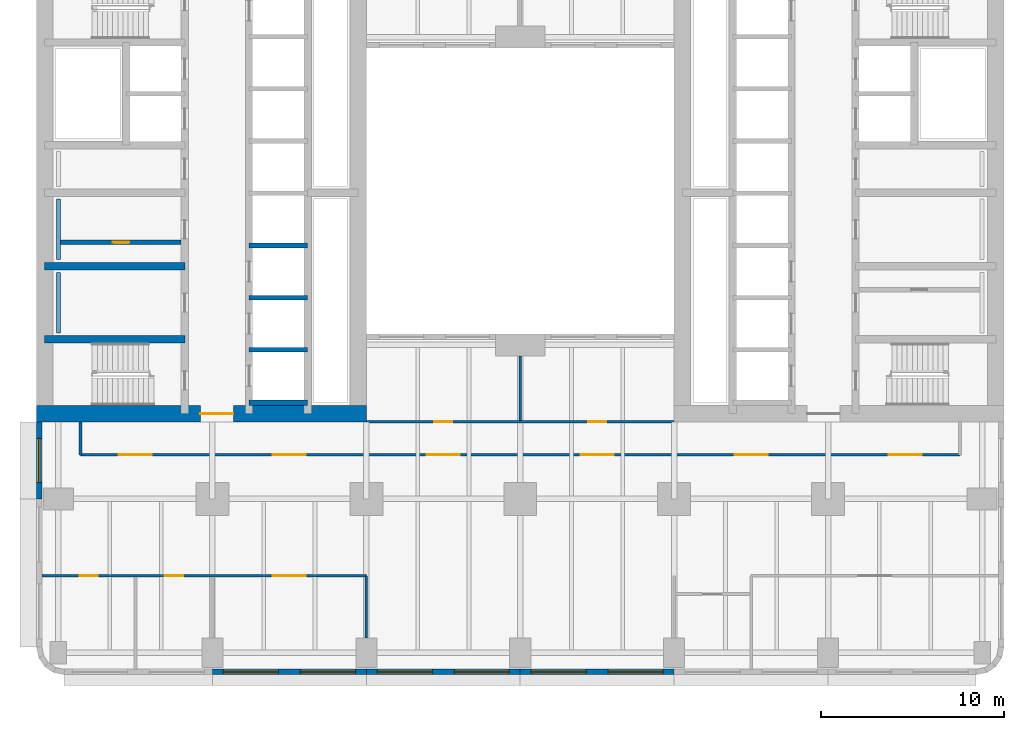
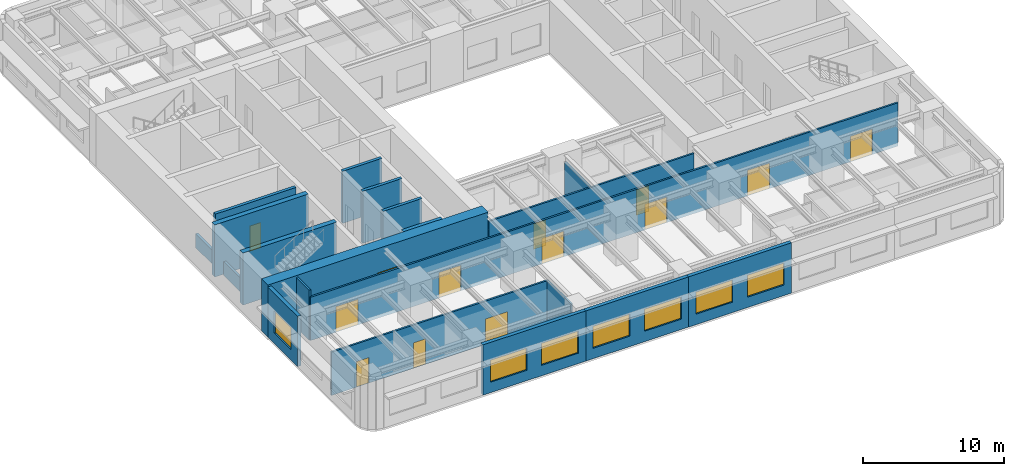
# One storey, part 3 of 14: 20 walls, 13 doors, 7 windows, 20 openings.
"""IFC4 building model written with IfcOpenShell, lengths in metres."""

import ifcopenshell
import ifcopenshell.guid

model = None  # the IFC model being written
_history = None  # IfcOwnerHistory: only IFC2X3 demands one
_inside = {}  # id of a spatial element -> (the spatial element, [elements in it])
_under = {}  # id of a project, library or spatial element -> (it, [spatial elements below it])
_declared = {}  # id of a project -> (the project, [libraries it declares])
_typed = {}  # id of a type object -> (the type object, [elements of that type])
_made_of = {}  # id of a material, layer set ... -> (it, [elements and type objects made of it])


def new_model(schema):
    """Start an empty IFC model of exactly this schema.

    Asked for "IFC4X3", IfcOpenShell would pick the latest addendum, in which some entities
    have other attributes; the version numbers below select the first issue.
    IFC2X3 requires an IfcOwnerHistory on every rooted entity: one is made here for all.
    """
    global model, _history
    if schema == "IFC4X3":
        model = ifcopenshell.file(schema_version=(4, 3, 0, 0))
    else:
        model = ifcopenshell.file(schema=schema)
    _inside.clear()
    _under.clear()
    _declared.clear()
    _typed.clear()
    _made_of.clear()
    _history = None
    if model.schema == "IFC2X3":
        org = make("IfcOrganization", Name="unknown")
        user = make(
            "IfcPersonAndOrganization",
            ThePerson=make("IfcPerson", FamilyName="unknown"),
            TheOrganization=org,
        )
        app = make(
            "IfcApplication",
            ApplicationDeveloper=org,
            Version="unknown",
            ApplicationFullName="unknown",
            ApplicationIdentifier="unknown",
        )
        _history = make(
            "IfcOwnerHistory",
            OwningUser=user,
            OwningApplication=app,
            ChangeAction="ADDED",
            CreationDate=0,
        )
    return model


def make(cls, **values):
    """One entity of the class cls with the attributes given. An attribute that is None is left unset."""
    return model.create_entity(
        cls, **{name: value for name, value in values.items() if value is not None}
    )


def rooted(cls, **values):
    """An entity with a GlobalId (a new one), such as an element, a storey or a relation."""
    return make(cls, GlobalId=ifcopenshell.guid.new(), OwnerHistory=_history, **values)


def si_unit(unit_type, name, prefix=None):
    """IfcSIUnit, for example si_unit("LENGTHUNIT", "METRE", prefix="MILLI")."""
    return make("IfcSIUnit", UnitType=unit_type, Prefix=prefix, Name=name)


def assignment(units):
    """IfcUnitAssignment: the units of a project."""
    return None if units is None else make("IfcUnitAssignment", Units=units)


def point(xyz):
    """IfcCartesianPoint."""
    return None if xyz is None else make("IfcCartesianPoint", Coordinates=xyz)


def direction(xyz):
    """IfcDirection."""
    return None if xyz is None else make("IfcDirection", DirectionRatios=xyz)


def frame(location, z_axis=None, x_axis=None):
    """IfcAxis2Placement3D, a coordinate frame: its origin and axes. An axis left out is left unset."""
    return make(
        "IfcAxis2Placement3D",
        Location=point(location),
        Axis=direction(z_axis),
        RefDirection=direction(x_axis),
    )


def frame_2d(location, x_axis=None):
    """IfcAxis2Placement2D, a coordinate frame in the plane: its origin and x axis."""
    return make(
        "IfcAxis2Placement2D", Location=point(location), RefDirection=direction(x_axis)
    )


def origin():
    """The frame at (0, 0, 0) with its axes left unset."""
    return frame((0.0, 0.0, 0.0))


def place(relative_to, where):
    """IfcLocalPlacement: puts the frame where relative to a parent placement (None: the world)."""
    return make(
        "IfcLocalPlacement", PlacementRelTo=relative_to, RelativePlacement=where
    )


def context(
    kind, dimensions, precision=None, world=None, true_north=None, identifier=None
):
    """IfcGeometricRepresentationContext, for example the 3D "Model" context."""
    return make(
        "IfcGeometricRepresentationContext",
        ContextIdentifier=identifier,
        ContextType=kind,
        CoordinateSpaceDimension=dimensions,
        Precision=precision,
        WorldCoordinateSystem=world,
        TrueNorth=true_north,
    )


def subcontext(parent, identifier, kind, view, scale=None):
    """IfcGeometricRepresentationSubContext, for example "Body" below "Model"."""
    return make(
        "IfcGeometricRepresentationSubContext",
        ContextIdentifier=identifier,
        ContextType=kind,
        ParentContext=parent,
        TargetScale=scale,
        TargetView=view,
    )


def project(units=None, contexts=None):
    """IfcProject with its units and contexts."""
    return rooted(
        "IfcProject",
        Name="project",
        RepresentationContexts=contexts,
        UnitsInContext=assignment(units),
    )


def spatial(cls, under=None, at=None, **own):
    """A site, building, storey or space (cls), placed at a placement, below another one or the project."""
    s = rooted(cls, ObjectPlacement=at, **own)
    if under is not None:
        _under.setdefault(under.id(), (under, []))[1].append(s)
    return s


def profile(cls, at=None, kind="AREA", **sizes):
    """A parametric profile (cls). Its sizes go by their IFC names, for example OverallWidth=200.0."""
    return make(cls, ProfileType=kind, Position=at, **sizes)


def rectangle(**sizes):
    """IfcRectangleProfileDef."""
    return profile("IfcRectangleProfileDef", **sizes)


def extrude(swept, where, along, depth):
    """IfcExtrudedAreaSolid: the profile swept, set in the frame where, extruded along a direction by depth."""
    return make(
        "IfcExtrudedAreaSolid",
        SweptArea=swept,
        Position=where,
        ExtrudedDirection=direction(along),
        Depth=depth,
    )


def shape(context_of_items, identifier, shape_type, items):
    """IfcShapeRepresentation: the items that make up one representation, for example the "Body"."""
    return make(
        "IfcShapeRepresentation",
        ContextOfItems=context_of_items,
        RepresentationIdentifier=identifier,
        RepresentationType=shape_type,
        Items=items,
    )


def material(Name=None, Category=None):
    """IfcMaterial."""
    return make("IfcMaterial", Name=Name, Category=Category)


def layer(
    of_material, thickness, ventilated=None, Name=None, Category=None, Priority=None
):
    """IfcMaterialLayer: one layer of a wall or slab, of a material (None: an air gap)."""
    return make(
        "IfcMaterialLayer",
        Material=of_material,
        LayerThickness=thickness,
        IsVentilated=ventilated,
        Name=Name,
        Category=Category,
        Priority=Priority,
    )


def layer_set(layers, Name=None):
    """IfcMaterialLayerSet."""
    return make("IfcMaterialLayerSet", MaterialLayers=layers, LayerSetName=Name)


def made_of(thing, what):
    """Note that an element or type object is made of a material, layer set ...; save() writes the relation."""
    if what is not None:
        _made_of.setdefault(what.id(), (what, []))[1].append(thing)
    return thing


def type_object(cls, material=None, **own):
    """A type object (cls), such as IfcWallType, which elements share."""
    return made_of(rooted(cls, **own), material)


def element(
    cls,
    number,
    at=None,
    inside=None,
    cuts=None,
    type_object=None,
    material=None,
    context=None,
    identifier="Body",
    shape_type=None,
    held_by="IfcProductDefinitionShape",
    body=None,
    shapes=None,
    **own,
):
    """One element of the class cls, such as IfcWall. Its Tag is "e" and its number.

    at: its placement. inside: the storey or other place that contains it. cuts: it is an
    opening in that element (IfcRelVoidsElement). A single representation is given by context,
    identifier, shape_type and body (its items); several are given by shapes. held_by: the class
    of the entity that holds the representations. save() writes the other relations.
    """
    e = rooted(cls, Tag="e%d" % number, ObjectPlacement=at, **own)
    if body is not None:
        shapes = [shape(context, identifier, shape_type, body)]
    if shapes is not None:
        e.Representation = make(held_by, Representations=shapes)
    if inside is not None:
        _inside.setdefault(inside.id(), (inside, []))[1].append(e)
    if cuts is not None:
        rooted(
            "IfcRelVoidsElement", RelatingBuildingElement=cuts, RelatedOpeningElement=e
        )
    if type_object is not None:
        _typed.setdefault(type_object.id(), (type_object, []))[1].append(e)
    return made_of(e, material)


def fill(opening, filler):
    """IfcRelFillsElement: the door or window that sits in an opening."""
    return rooted(
        "IfcRelFillsElement",
        RelatingOpeningElement=opening,
        RelatedBuildingElement=filler,
    )


def aggregate(whole, parts):
    """IfcRelAggregates: a whole, such as a stair, and the parts it consists of."""
    return rooted("IfcRelAggregates", RelatingObject=whole, RelatedObjects=parts)


def save(model, path):
    """Write the relations noted so far, then the file.

    IfcRelAggregates (storeys below a building ...), IfcRelContainedInSpatialStructure (elements
    in a storey), IfcRelDefinesByType, IfcRelAssociatesMaterial and IfcRelDeclares: one each for
    every whole, place, type object, material and project.
    """
    for whole, parts in _under.values():
        aggregate(whole, parts)
    for where, things in _inside.values():
        rooted(
            "IfcRelContainedInSpatialStructure",
            RelatedElements=things,
            RelatingStructure=where,
        )
    for kind, things in _typed.values():
        rooted("IfcRelDefinesByType", RelatedObjects=things, RelatingType=kind)
    for what, things in _made_of.values():
        rooted("IfcRelAssociatesMaterial", RelatedObjects=things, RelatingMaterial=what)
    for by, libraries in _declared.values():
        rooted("IfcRelDeclares", RelatingContext=by, RelatedDefinitions=libraries)
    model.write(path)


model = new_model("IFC4")

# Units and contexts
model_context = context("Model", 3, precision=1e-05, world=origin(), true_north=direction((0.0, 1.0)))
body_context = subcontext(model_context, "Body", "Model", "MODEL_VIEW")
ifc_project = project(units=[si_unit("LENGTHUNIT", "METRE"), si_unit("AREAUNIT", "SQUARE_METRE"), si_unit("VOLUMEUNIT", "CUBIC_METRE"), si_unit("PLANEANGLEUNIT", "RADIAN"), si_unit("MASSUNIT", "GRAM", prefix="KILO")], contexts=[model_context])

# Site, building, storey
site_placement = place(None, origin())
site = spatial("IfcSite", under=ifc_project, at=site_placement, CompositionType="ELEMENT")
building_placement = place(site_placement, origin())
building = spatial("IfcBuilding", under=site, at=building_placement, Name="Claustro Exchange Tower", CompositionType="ELEMENT")
storey_placement = place(building_placement, frame((0.0, 0.0, 23.39990234375)))
storey = spatial("IfcBuildingStorey", under=building, at=storey_placement, Name="L05", CompositionType="ELEMENT", Elevation=23.39990234375)

# Wall, openings, doors
ifc_material_1 = material(Name="Gypsum board on steel studs", Category="steel")
ifc_layer_1 = layer(ifc_material_1, 0.14990234375)
ifc_layer_set_1 = layer_set([ifc_layer_1], Name="Gypsum board on steel studs")
wall_type_1 = type_object("IfcWallType", Name="P1 150 plasterboard partition", PredefinedType="PARTITIONING", material=ifc_layer_set_1)
wall_1_placement = place(storey_placement, frame((-0.902099609375, 4.199951171875, 0.0), z_axis=(0.0, 0.0, 1.0), x_axis=(1.0, 0.0, 0.0)))
wall_1 = element("IfcWall", 1, at=wall_1_placement, inside=storey, type_object=wall_type_1, Name="Partition P1 L05", PredefinedType="PARTITIONING", context=body_context, shape_type="SweptSolid", body=[
    extrude(rectangle(XDim=17.7021484375, YDim=0.14990234375, at=frame_2d((8.85107421875, 0.0))), origin(), (0.0, 0.0, 1.0), 3.739990234375),
])
opening_1_placement = place(wall_1_placement, frame((2.052001953125, 0.0, 0.0)))
opening_1 = element("IfcOpeningElement", 2, at=opening_1_placement, cuts=wall_1, Name="Opening D1", PredefinedType="OPENING", context=body_context, shape_type="SweptSolid", body=[
    extrude(rectangle(XDim=1.0, YDim=2.199951171875, at=frame_2d((0.5, 1.10009765625))), frame((0.0, 0.0849609375, 0.0), z_axis=(0.0, -1.0, 0.0), x_axis=(1.0, 0.0, 0.0)), (0.0, 0.0, 1.0), 0.169921875),
])
opening_2_placement = place(wall_1_placement, frame((6.701904296875, 0.0, 0.0)))
opening_2 = element("IfcOpeningElement", 3, at=opening_2_placement, cuts=wall_1, Name="Opening D1", PredefinedType="OPENING", context=body_context, shape_type="SweptSolid", body=[
    extrude(rectangle(XDim=1.0, YDim=2.199951171875, at=frame_2d((0.5, 1.10009765625))), frame((0.0, 0.0849609375, 0.0), z_axis=(0.0, -1.0, 0.0), x_axis=(1.0, 0.0, 0.0)), (0.0, 0.0, 1.0), 0.169921875),
])
opening_3_placement = place(wall_1_placement, frame((12.60205078125, 0.0, 0.0)))
opening_3 = element("IfcOpeningElement", 4, at=opening_3_placement, cuts=wall_1, Name="Opening D2", PredefinedType="OPENING", context=body_context, shape_type="SweptSolid", body=[
    extrude(rectangle(XDim=1.800048828125, YDim=2.199951171875, at=frame_2d((0.89990234375, 1.10009765625))), frame((0.0, 0.0849609375, 0.0), z_axis=(0.0, -1.0, 0.0), x_axis=(1.0, 0.0, 0.0)), (0.0, 0.0, 1.0), 0.169921875),
])
ifc_material_2 = material(Name="Timber door, oak veneer", Category="wood")
door_type_1 = type_object("IfcDoorType", Name="D1 1000 x 2200 single door", OperationType="SINGLE_SWING_LEFT", PredefinedType="DOOR", material=ifc_material_2)
door_1_placement = place(opening_1_placement, frame((1.0, 0.0, 0.0), z_axis=(0.0, 0.0, 1.0), x_axis=(-1.0, 0.0, 0.0)))
door_1 = element("IfcDoor", 5, at=door_1_placement, inside=storey, type_object=door_type_1, Name="Door D1 L05", OperationType="SINGLE_SWING_LEFT", OverallHeight=2.199951171875, OverallWidth=1.0, PredefinedType="DOOR", context=body_context, shape_type="SweptSolid", body=[
    extrude(rectangle(XDim=1.0, YDim=2.199951171875, at=frame_2d((0.5, 1.10009765625))), frame((0.0, 0.02490234375, 0.0), z_axis=(0.0, -1.0, 0.0), x_axis=(1.0, 0.0, 0.0)), (0.0, 0.0, 1.0), 0.050048828125),
])
fill(opening_1, door_1)
door_2_placement = place(opening_2_placement, frame((1.0, 0.0, 0.0), z_axis=(0.0, 0.0, 1.0), x_axis=(-1.0, 0.0, 0.0)))
door_2 = element("IfcDoor", 6, at=door_2_placement, inside=storey, type_object=door_type_1, Name="Door D1 L05", OperationType="SINGLE_SWING_RIGHT", OverallHeight=2.199951171875, OverallWidth=1.0, PredefinedType="DOOR", context=body_context, shape_type="SweptSolid", body=[
    extrude(rectangle(XDim=1.0, YDim=2.199951171875, at=frame_2d((0.5, 1.10009765625))), frame((0.0, 0.02490234375, 0.0), z_axis=(0.0, -1.0, 0.0), x_axis=(1.0, 0.0, 0.0)), (0.0, 0.0, 1.0), 0.050048828125),
])
fill(opening_2, door_2)
ifc_material_3 = material(Name="Timber door, oak veneer", Category="wood")
door_type_2 = type_object("IfcDoorType", Name="D2 1800 x 2200 double door", OperationType="DOUBLE_DOOR_SINGLE_SWING", PredefinedType="DOOR", material=ifc_material_3)
door_3_placement = place(opening_3_placement, frame((1.800048828125, 0.0, 0.0), z_axis=(0.0, 0.0, 1.0), x_axis=(-1.0, 0.0, 0.0)))
door_3 = element("IfcDoor", 7, at=door_3_placement, inside=storey, type_object=door_type_2, Name="Double door D2 L05", OperationType="DOUBLE_DOOR_SINGLE_SWING", OverallHeight=2.199951171875, OverallWidth=1.800048828125, PredefinedType="DOOR", context=body_context, shape_type="SweptSolid", body=[
    extrude(rectangle(XDim=1.800048828125, YDim=2.199951171875, at=frame_2d((0.89990234375, 1.10009765625))), frame((0.0, 0.02490234375, 0.0), z_axis=(0.0, -1.0, 0.0), x_axis=(1.0, 0.0, 0.0)), (0.0, 0.0, 1.0), 0.050048828125),
])
fill(opening_3, door_3)

# Wall
wall_2_placement = place(storey_placement, frame((16.800048828125, 0.799072265625, 0.0), z_axis=(0.0, 0.0, 1.0), x_axis=(0.0, 1.0, 0.0)))
element("IfcWall", 8, at=wall_2_placement, inside=storey, type_object=wall_type_1, Name="Partition P1 L05", PredefinedType="PARTITIONING", context=body_context, shape_type="SweptSolid", body=[
    extrude(rectangle(XDim=3.40087890625, YDim=0.14990234375, at=frame_2d((1.700439453125, 0.0))), origin(), (0.0, 0.0, 1.0), 3.739990234375),
])

# Wall, openings, doors
wall_3_placement = place(storey_placement, frame((1.199951171875, 10.800048828125, 0.0), z_axis=(0.0, 0.0, 1.0), x_axis=(1.0, 0.0, 0.0)))
wall_3 = element("IfcWall", 9, at=wall_3_placement, inside=storey, type_object=wall_type_1, Name="Partition P1 L05", PredefinedType="PARTITIONING", context=body_context, shape_type="SweptSolid", body=[
    extrude(rectangle(XDim=48.0, YDim=0.14990234375, at=frame_2d((24.0, 0.0))), origin(), (0.0, 0.0, 1.0), 3.739990234375),
])
opening_4_placement = place(wall_3_placement, frame((2.10009765625, 0.0, 0.0)))
opening_4 = element("IfcOpeningElement", 10, at=opening_4_placement, cuts=wall_3, Name="Opening D2", PredefinedType="OPENING", context=body_context, shape_type="SweptSolid", body=[
    extrude(rectangle(XDim=1.800048828125, YDim=2.199951171875, at=frame_2d((0.89990234375, 1.10009765625))), frame((0.0, 0.0849609375, 0.0), z_axis=(0.0, -1.0, 0.0), x_axis=(1.0, 0.0, 0.0)), (0.0, 0.0, 1.0), 0.169921875),
])
opening_5_placement = place(wall_3_placement, frame((10.5, 0.0, 0.0)))
opening_5 = element("IfcOpeningElement", 11, at=opening_5_placement, cuts=wall_3, Name="Opening D2", PredefinedType="OPENING", context=body_context, shape_type="SweptSolid", body=[
    extrude(rectangle(XDim=1.800048828125, YDim=2.199951171875, at=frame_2d((0.89990234375, 1.10009765625))), frame((0.0, 0.0849609375, 0.0), z_axis=(0.0, -1.0, 0.0), x_axis=(1.0, 0.0, 0.0)), (0.0, 0.0, 1.0), 0.169921875),
])
opening_6_placement = place(wall_3_placement, frame((18.89990234375, 0.0, 0.0)))
opening_6 = element("IfcOpeningElement", 12, at=opening_6_placement, cuts=wall_3, Name="Opening D2", PredefinedType="OPENING", context=body_context, shape_type="SweptSolid", body=[
    extrude(rectangle(XDim=1.800048828125, YDim=2.199951171875, at=frame_2d((0.89990234375, 1.10009765625))), frame((0.0, 0.0849609375, 0.0), z_axis=(0.0, -1.0, 0.0), x_axis=(1.0, 0.0, 0.0)), (0.0, 0.0, 1.0), 0.169921875),
])
opening_7_placement = place(wall_3_placement, frame((27.300048828125, 0.0, 0.0)))
opening_7 = element("IfcOpeningElement", 13, at=opening_7_placement, cuts=wall_3, Name="Opening D2", PredefinedType="OPENING", context=body_context, shape_type="SweptSolid", body=[
    extrude(rectangle(XDim=1.800048828125, YDim=2.199951171875, at=frame_2d((0.89990234375, 1.10009765625))), frame((0.0, 0.0849609375, 0.0), z_axis=(0.0, -1.0, 0.0), x_axis=(1.0, 0.0, 0.0)), (0.0, 0.0, 1.0), 0.169921875),
])
opening_8_placement = place(wall_3_placement, frame((35.699951171875, 0.0, 0.0)))
opening_8 = element("IfcOpeningElement", 14, at=opening_8_placement, cuts=wall_3, Name="Opening D2", PredefinedType="OPENING", context=body_context, shape_type="SweptSolid", body=[
    extrude(rectangle(XDim=1.800048828125, YDim=2.199951171875, at=frame_2d((0.89990234375, 1.10009765625))), frame((0.0, 0.0849609375, 0.0), z_axis=(0.0, -1.0, 0.0), x_axis=(1.0, 0.0, 0.0)), (0.0, 0.0, 1.0), 0.169921875),
])
opening_9_placement = place(wall_3_placement, frame((44.10009765625, 0.0, 0.0)))
opening_9 = element("IfcOpeningElement", 15, at=opening_9_placement, cuts=wall_3, Name="Opening D2", PredefinedType="OPENING", context=body_context, shape_type="SweptSolid", body=[
    extrude(rectangle(XDim=1.800048828125, YDim=2.199951171875, at=frame_2d((0.89990234375, 1.10009765625))), frame((0.0, 0.0849609375, 0.0), z_axis=(0.0, -1.0, 0.0), x_axis=(1.0, 0.0, 0.0)), (0.0, 0.0, 1.0), 0.169921875),
])
door_4_placement = place(opening_4_placement, frame((1.800048828125, 0.0, 0.0), z_axis=(0.0, 0.0, 1.0), x_axis=(-1.0, 0.0, 0.0)))
door_4 = element("IfcDoor", 16, at=door_4_placement, inside=storey, type_object=door_type_2, Name="Double door D2 L05", OperationType="DOUBLE_DOOR_SINGLE_SWING", OverallHeight=2.199951171875, OverallWidth=1.800048828125, PredefinedType="DOOR", context=body_context, shape_type="SweptSolid", body=[
    extrude(rectangle(XDim=1.800048828125, YDim=2.199951171875, at=frame_2d((0.89990234375, 1.10009765625))), frame((0.0, 0.02490234375, 0.0), z_axis=(0.0, -1.0, 0.0), x_axis=(1.0, 0.0, 0.0)), (0.0, 0.0, 1.0), 0.050048828125),
])
fill(opening_4, door_4)
door_5_placement = place(opening_5_placement, frame((1.800048828125, 0.0, 0.0), z_axis=(0.0, 0.0, 1.0), x_axis=(-1.0, 0.0, 0.0)))
door_5 = element("IfcDoor", 17, at=door_5_placement, inside=storey, type_object=door_type_2, Name="Double door D2 L05", OperationType="DOUBLE_DOOR_SINGLE_SWING", OverallHeight=2.199951171875, OverallWidth=1.800048828125, PredefinedType="DOOR", context=body_context, shape_type="SweptSolid", body=[
    extrude(rectangle(XDim=1.800048828125, YDim=2.199951171875, at=frame_2d((0.89990234375, 1.10009765625))), frame((0.0, 0.02490234375, 0.0), z_axis=(0.0, -1.0, 0.0), x_axis=(1.0, 0.0, 0.0)), (0.0, 0.0, 1.0), 0.050048828125),
])
fill(opening_5, door_5)
door_6_placement = place(opening_6_placement, frame((1.800048828125, 0.0, 0.0), z_axis=(0.0, 0.0, 1.0), x_axis=(-1.0, 0.0, 0.0)))
door_6 = element("IfcDoor", 18, at=door_6_placement, inside=storey, type_object=door_type_2, Name="Double door D2 L05", OperationType="DOUBLE_DOOR_SINGLE_SWING", OverallHeight=2.199951171875, OverallWidth=1.800048828125, PredefinedType="DOOR", context=body_context, shape_type="SweptSolid", body=[
    extrude(rectangle(XDim=1.800048828125, YDim=2.199951171875, at=frame_2d((0.89990234375, 1.10009765625))), frame((0.0, 0.02490234375, 0.0), z_axis=(0.0, -1.0, 0.0), x_axis=(1.0, 0.0, 0.0)), (0.0, 0.0, 1.0), 0.050048828125),
])
fill(opening_6, door_6)
door_7_placement = place(opening_7_placement, frame((1.800048828125, 0.0, 0.0), z_axis=(0.0, 0.0, 1.0), x_axis=(-1.0, 0.0, 0.0)))
door_7 = element("IfcDoor", 19, at=door_7_placement, inside=storey, type_object=door_type_2, Name="Double door D2 L05", OperationType="DOUBLE_DOOR_SINGLE_SWING", OverallHeight=2.199951171875, OverallWidth=1.800048828125, PredefinedType="DOOR", context=body_context, shape_type="SweptSolid", body=[
    extrude(rectangle(XDim=1.800048828125, YDim=2.199951171875, at=frame_2d((0.89990234375, 1.10009765625))), frame((0.0, 0.02490234375, 0.0), z_axis=(0.0, -1.0, 0.0), x_axis=(1.0, 0.0, 0.0)), (0.0, 0.0, 1.0), 0.050048828125),
])
fill(opening_7, door_7)
door_8_placement = place(opening_8_placement, frame((1.800048828125, 0.0, 0.0), z_axis=(0.0, 0.0, 1.0), x_axis=(-1.0, 0.0, 0.0)))
door_8 = element("IfcDoor", 20, at=door_8_placement, inside=storey, type_object=door_type_2, Name="Double door D2 L05", OperationType="DOUBLE_DOOR_SINGLE_SWING", OverallHeight=2.199951171875, OverallWidth=1.800048828125, PredefinedType="DOOR", context=body_context, shape_type="SweptSolid", body=[
    extrude(rectangle(XDim=1.800048828125, YDim=2.199951171875, at=frame_2d((0.89990234375, 1.10009765625))), frame((0.0, 0.02490234375, 0.0), z_axis=(0.0, -1.0, 0.0), x_axis=(1.0, 0.0, 0.0)), (0.0, 0.0, 1.0), 0.050048828125),
])
fill(opening_8, door_8)
door_9_placement = place(opening_9_placement, frame((1.800048828125, 0.0, 0.0), z_axis=(0.0, 0.0, 1.0), x_axis=(-1.0, 0.0, 0.0)))
door_9 = element("IfcDoor", 21, at=door_9_placement, inside=storey, type_object=door_type_2, Name="Double door D2 L05", OperationType="DOUBLE_DOOR_SINGLE_SWING", OverallHeight=2.199951171875, OverallWidth=1.800048828125, PredefinedType="DOOR", context=body_context, shape_type="SweptSolid", body=[
    extrude(rectangle(XDim=1.800048828125, YDim=2.199951171875, at=frame_2d((0.89990234375, 1.10009765625))), frame((0.0, 0.02490234375, 0.0), z_axis=(0.0, -1.0, 0.0), x_axis=(1.0, 0.0, 0.0)), (0.0, 0.0, 1.0), 0.050048828125),
])
fill(opening_9, door_9)

# Walls
wall_4_placement = place(storey_placement, frame((1.199951171875, 10.800048828125, 0.0), z_axis=(0.0, 0.0, 1.0), x_axis=(0.0, 1.0, 0.0)))
element("IfcWall", 22, at=wall_4_placement, inside=storey, type_object=wall_type_1, Name="Partition P1 L05", PredefinedType="PARTITIONING", context=body_context, shape_type="SweptSolid", body=[
    extrude(rectangle(XDim=1.802001953125, YDim=0.14990234375, at=frame_2d((0.90087890625, 0.0))), origin(), (0.0, 0.0, 1.0), 4.340087890625),
])
wall_5_placement = place(storey_placement, frame((25.199951171875, 12.674072265625, 0.0), z_axis=(0.0, 0.0, 1.0), x_axis=(0.0, 1.0, 0.0)))
element("IfcWall", 23, at=wall_5_placement, inside=storey, type_object=wall_type_1, Name="Partition P1 L05", PredefinedType="PARTITIONING", context=body_context, shape_type="SweptSolid", body=[
    extrude(rectangle(XDim=3.52685546875, YDim=0.14990234375, at=frame_2d((1.763427734375, 0.0))), origin(), (0.0, 0.0, 1.0), 3.739990234375),
])

# Wall, openings, doors
wall_6_placement = place(storey_placement, frame((16.820068359375, 12.60009765625, 0.0), z_axis=(0.0, 0.0, 1.0), x_axis=(1.0, 0.0, 0.0)))
wall_6 = element("IfcWall", 24, at=wall_6_placement, inside=storey, type_object=wall_type_1, Name="Partition P1 L05", PredefinedType="PARTITIONING", context=body_context, shape_type="SweptSolid", body=[
    extrude(rectangle(XDim=16.760009765625, YDim=0.14990234375, at=frame_2d((8.3798828125, 0.0))), origin(), (0.0, 0.0, 1.0), 3.739990234375),
])
opening_10_placement = place(wall_6_placement, frame((3.679931640625, 0.0, 0.0)))
opening_10 = element("IfcOpeningElement", 25, at=opening_10_placement, cuts=wall_6, Name="Opening D1", PredefinedType="OPENING", context=body_context, shape_type="SweptSolid", body=[
    extrude(rectangle(XDim=1.0, YDim=2.199951171875, at=frame_2d((0.5, 1.10009765625))), frame((0.0, 0.0849609375, 0.0), z_axis=(0.0, -1.0, 0.0), x_axis=(1.0, 0.0, 0.0)), (0.0, 0.0, 1.0), 0.169921875),
])
opening_11_placement = place(wall_6_placement, frame((12.080078125, 0.0, 0.0)))
opening_11 = element("IfcOpeningElement", 26, at=opening_11_placement, cuts=wall_6, Name="Opening D1", PredefinedType="OPENING", context=body_context, shape_type="SweptSolid", body=[
    extrude(rectangle(XDim=1.0, YDim=2.199951171875, at=frame_2d((0.5, 1.10009765625))), frame((0.0, 0.0849609375, 0.0), z_axis=(0.0, -1.0, 0.0), x_axis=(1.0, 0.0, 0.0)), (0.0, 0.0, 1.0), 0.169921875),
])
door_10_placement = place(opening_10_placement, origin())
door_10 = element("IfcDoor", 27, at=door_10_placement, inside=storey, type_object=door_type_1, Name="Door D1 L05", OperationType="SINGLE_SWING_RIGHT", OverallHeight=2.199951171875, OverallWidth=1.0, PredefinedType="DOOR", context=body_context, shape_type="SweptSolid", body=[
    extrude(rectangle(XDim=1.0, YDim=2.199951171875, at=frame_2d((0.5, 1.10009765625))), frame((0.0, 0.02490234375, 0.0), z_axis=(0.0, -1.0, 0.0), x_axis=(1.0, 0.0, 0.0)), (0.0, 0.0, 1.0), 0.050048828125),
])
fill(opening_10, door_10)
door_11_placement = place(opening_11_placement, origin())
door_11 = element("IfcDoor", 28, at=door_11_placement, inside=storey, type_object=door_type_1, Name="Door D1 L05", OperationType="SINGLE_SWING_LEFT", OverallHeight=2.199951171875, OverallWidth=1.0, PredefinedType="DOOR", context=body_context, shape_type="SweptSolid", body=[
    extrude(rectangle(XDim=1.0, YDim=2.199951171875, at=frame_2d((0.5, 1.10009765625))), frame((0.0, 0.02490234375, 0.0), z_axis=(0.0, -1.0, 0.0), x_axis=(1.0, 0.0, 0.0)), (0.0, 0.0, 1.0), 0.050048828125),
])
fill(opening_11, door_11)

# Wall, opening, door
ifc_material_4 = material(Name="Concrete blockwork, rendered", Category="masonry")
ifc_layer_2 = layer(ifc_material_4, 0.25)
ifc_layer_set_2 = layer_set([ifc_layer_2], Name="Concrete blockwork, rendered")
wall_type_2 = type_object("IfcWallType", Name="P4 250 blockwork wall", PredefinedType="PARTITIONING", material=ifc_layer_set_2)
wall_7_placement = place(storey_placement, frame((0.10009765625, 22.39990234375, 0.0), z_axis=(0.0, 0.0, 1.0), x_axis=(1.0, 0.0, 0.0)))
wall_7 = element("IfcWall", 29, at=wall_7_placement, inside=storey, type_object=wall_type_2, Name="Partition P4 L05", PredefinedType="PARTITIONING", context=body_context, shape_type="SweptSolid", body=[
    extrude(rectangle(XDim=6.599853515625, YDim=0.25, at=frame_2d((3.2998046875, 0.0))), origin(), (0.0, 0.0, 1.0), 4.300048828125),
])
opening_12_placement = place(wall_7_placement, frame((2.875, 0.0, 0.0)))
opening_12 = element("IfcOpeningElement", 30, at=opening_12_placement, cuts=wall_7, Name="Opening D5", PredefinedType="OPENING", context=body_context, shape_type="SweptSolid", body=[
    extrude(rectangle(XDim=0.89990234375, YDim=2.199951171875, at=frame_2d((0.449951171875, 1.10009765625))), frame((0.0, 0.135009765625, 0.0), z_axis=(0.0, -1.0, 0.0), x_axis=(1.0, 0.0, 0.0)), (0.0, 0.0, 1.0), 0.27001953125),
])
ifc_material_5 = material(Name="Steel door, painted", Category="steel")
door_type_3 = type_object("IfcDoorType", Name="D5 900 x 2200 store door", OperationType="SINGLE_SWING_LEFT", PredefinedType="DOOR", material=ifc_material_5)
door_12_placement = place(opening_12_placement, frame((0.89990234375, 0.0, 0.0), z_axis=(0.0, 0.0, 1.0), x_axis=(-1.0, 0.0, 0.0)))
door_12 = element("IfcDoor", 31, at=door_12_placement, inside=storey, type_object=door_type_3, Name="Store door D5 L05", OperationType="SINGLE_SWING_RIGHT", OverallHeight=2.199951171875, OverallWidth=0.89990234375, PredefinedType="DOOR", context=body_context, shape_type="SweptSolid", body=[
    extrude(rectangle(XDim=0.89990234375, YDim=2.199951171875, at=frame_2d((0.449951171875, 1.10009765625))), frame((0.0, 0.02490234375, 0.0), z_axis=(0.0, -1.0, 0.0), x_axis=(1.0, 0.0, 0.0)), (0.0, 0.0, 1.0), 0.050048828125),
])
fill(opening_12, door_12)

# Wall, openings, windows
ifc_material_6 = material(Name="Concrete HA-40 (C40/50), precast, white cement, acid-etched", Category="concrete")
ifc_layer_3 = layer(ifc_material_6, 0.300048828125)
ifc_layer_set_3 = layer_set([ifc_layer_3], Name="Concrete HA-40 (C40/50), precast, white cement, acid-etched")
wall_type_3 = type_object("IfcWallType", Name="PC1 300 precast concrete pier panel", PredefinedType="SOLIDWALL", material=ifc_layer_set_3)
wall_8_placement = place(storey_placement, frame((33.60009765625, -1.050048828125, 0.0), z_axis=(0.0, 0.0, 1.0), x_axis=(-1.0, 0.0, 0.0)))
wall_8 = element("IfcWall", 32, at=wall_8_placement, inside=storey, type_object=wall_type_3, Name="Precast pier panel PC1 L05", PredefinedType="SOLIDWALL", context=body_context, shape_type="SweptSolid", body=[
    extrude(rectangle(XDim=8.400146484375, YDim=0.300048828125, at=frame_2d((4.2001953125, 0.0))), origin(), (0.0, 0.0, 1.0), 4.340087890625),
])
opening_13_placement = place(wall_8_placement, frame((0.60009765625, 0.0, 0.89990234375)))
opening_13 = element("IfcOpeningElement", 33, at=opening_13_placement, cuts=wall_8, Name="Opening W1", PredefinedType="OPENING", context=body_context, shape_type="SweptSolid", body=[
    extrude(rectangle(XDim=3.0, YDim=1.89990234375, at=frame_2d((1.5, 0.949951171875))), frame((0.0, 0.159912109375, 0.0), z_axis=(0.0, -1.0, 0.0), x_axis=(1.0, 0.0, 0.0)), (0.0, 0.0, 1.0), 0.320068359375),
])
opening_14_placement = place(wall_8_placement, frame((4.800048828125, 0.0, 0.89990234375)))
opening_14 = element("IfcOpeningElement", 34, at=opening_14_placement, cuts=wall_8, Name="Opening W1", PredefinedType="OPENING", context=body_context, shape_type="SweptSolid", body=[
    extrude(rectangle(XDim=3.0, YDim=1.89990234375, at=frame_2d((1.5, 0.949951171875))), frame((0.0, 0.159912109375, 0.0), z_axis=(0.0, -1.0, 0.0), x_axis=(1.0, 0.0, 0.0)), (0.0, 0.0, 1.0), 0.320068359375),
])
ifc_material_7 = material(Name="Aluminium frame, clear double glazing", Category="aluminium")
window_type_1 = type_object("IfcWindowType", Name="W1 3000 x 1900 window", PartitioningType="SINGLE_PANEL", PredefinedType="WINDOW", material=ifc_material_7)
window_1_placement = place(opening_13_placement, origin())
window_1 = element("IfcWindow", 35, at=window_1_placement, inside=storey, type_object=window_type_1, Name="Window W1 L05", OverallHeight=1.89990234375, OverallWidth=3.0, PartitioningType="SINGLE_PANEL", PredefinedType="WINDOW", context=body_context, shape_type="SweptSolid", body=[
    extrude(rectangle(XDim=3.0, YDim=1.89990234375, at=frame_2d((1.5, 0.949951171875))), frame((0.0, 0.030029296875, 0.0), z_axis=(0.0, -1.0, 0.0), x_axis=(1.0, 0.0, 0.0)), (0.0, 0.0, 1.0), 0.06005859375),
])
fill(opening_13, window_1)
window_2_placement = place(opening_14_placement, origin())
window_2 = element("IfcWindow", 36, at=window_2_placement, inside=storey, type_object=window_type_1, Name="Window W1 L05", OverallHeight=1.89990234375, OverallWidth=3.0, PartitioningType="SINGLE_PANEL", PredefinedType="WINDOW", context=body_context, shape_type="SweptSolid", body=[
    extrude(rectangle(XDim=3.0, YDim=1.89990234375, at=frame_2d((1.5, 0.949951171875))), frame((0.0, 0.030029296875, 0.0), z_axis=(0.0, -1.0, 0.0), x_axis=(1.0, 0.0, 0.0)), (0.0, 0.0, 1.0), 0.06005859375),
])
fill(opening_14, window_2)

wall_9_placement = place(storey_placement, frame((25.199951171875, -1.050048828125, 0.0), z_axis=(0.0, 0.0, 1.0), x_axis=(-1.0, 0.0, 0.0)))
wall_9 = element("IfcWall", 37, at=wall_9_placement, inside=storey, type_object=wall_type_3, Name="Precast pier panel PC1 L05", PredefinedType="SOLIDWALL", context=body_context, shape_type="SweptSolid", body=[
    extrude(rectangle(XDim=8.39990234375, YDim=0.300048828125, at=frame_2d((4.199951171875, 0.0))), origin(), (0.0, 0.0, 1.0), 4.340087890625),
])
opening_15_placement = place(wall_9_placement, frame((0.60009765625, 0.0, 0.89990234375)))
opening_15 = element("IfcOpeningElement", 38, at=opening_15_placement, cuts=wall_9, Name="Opening W1", PredefinedType="OPENING", context=body_context, shape_type="SweptSolid", body=[
    extrude(rectangle(XDim=3.0, YDim=1.89990234375, at=frame_2d((1.5, 0.949951171875))), frame((0.0, 0.159912109375, 0.0), z_axis=(0.0, -1.0, 0.0), x_axis=(1.0, 0.0, 0.0)), (0.0, 0.0, 1.0), 0.320068359375),
])
opening_16_placement = place(wall_9_placement, frame((4.800048828125, 0.0, 0.89990234375)))
opening_16 = element("IfcOpeningElement", 39, at=opening_16_placement, cuts=wall_9, Name="Opening W1", PredefinedType="OPENING", context=body_context, shape_type="SweptSolid", body=[
    extrude(rectangle(XDim=3.0, YDim=1.89990234375, at=frame_2d((1.5, 0.949951171875))), frame((0.0, 0.159912109375, 0.0), z_axis=(0.0, -1.0, 0.0), x_axis=(1.0, 0.0, 0.0)), (0.0, 0.0, 1.0), 0.320068359375),
])
window_3_placement = place(opening_15_placement, origin())
window_3 = element("IfcWindow", 40, at=window_3_placement, inside=storey, type_object=window_type_1, Name="Window W1 L05", OverallHeight=1.89990234375, OverallWidth=3.0, PartitioningType="SINGLE_PANEL", PredefinedType="WINDOW", context=body_context, shape_type="SweptSolid", body=[
    extrude(rectangle(XDim=3.0, YDim=1.89990234375, at=frame_2d((1.5, 0.949951171875))), frame((0.0, 0.030029296875, 0.0), z_axis=(0.0, -1.0, 0.0), x_axis=(1.0, 0.0, 0.0)), (0.0, 0.0, 1.0), 0.06005859375),
])
fill(opening_15, window_3)
window_4_placement = place(opening_16_placement, origin())
window_4 = element("IfcWindow", 41, at=window_4_placement, inside=storey, type_object=window_type_1, Name="Window W1 L05", OverallHeight=1.89990234375, OverallWidth=3.0, PartitioningType="SINGLE_PANEL", PredefinedType="WINDOW", context=body_context, shape_type="SweptSolid", body=[
    extrude(rectangle(XDim=3.0, YDim=1.89990234375, at=frame_2d((1.5, 0.949951171875))), frame((0.0, 0.030029296875, 0.0), z_axis=(0.0, -1.0, 0.0), x_axis=(1.0, 0.0, 0.0)), (0.0, 0.0, 1.0), 0.06005859375),
])
fill(opening_16, window_4)

wall_10_placement = place(storey_placement, frame((16.800048828125, -1.050048828125, 0.0), z_axis=(0.0, 0.0, 1.0), x_axis=(-1.0, 0.0, 0.0)))
wall_10 = element("IfcWall", 42, at=wall_10_placement, inside=storey, type_object=wall_type_3, Name="Precast pier panel PC1 L05", PredefinedType="SOLIDWALL", context=body_context, shape_type="SweptSolid", body=[
    extrude(rectangle(XDim=8.400146484375, YDim=0.300048828125, at=frame_2d((4.2001953125, 0.0))), origin(), (0.0, 0.0, 1.0), 4.340087890625),
])
opening_17_placement = place(wall_10_placement, frame((0.60009765625, 0.0, 0.89990234375)))
opening_17 = element("IfcOpeningElement", 43, at=opening_17_placement, cuts=wall_10, Name="Opening W1", PredefinedType="OPENING", context=body_context, shape_type="SweptSolid", body=[
    extrude(rectangle(XDim=3.0, YDim=1.89990234375, at=frame_2d((1.5, 0.949951171875))), frame((0.0, 0.159912109375, 0.0), z_axis=(0.0, -1.0, 0.0), x_axis=(1.0, 0.0, 0.0)), (0.0, 0.0, 1.0), 0.320068359375),
])
opening_18_placement = place(wall_10_placement, frame((4.800048828125, 0.0, 0.89990234375)))
opening_18 = element("IfcOpeningElement", 44, at=opening_18_placement, cuts=wall_10, Name="Opening W1", PredefinedType="OPENING", context=body_context, shape_type="SweptSolid", body=[
    extrude(rectangle(XDim=3.0, YDim=1.89990234375, at=frame_2d((1.5, 0.949951171875))), frame((0.0, 0.159912109375, 0.0), z_axis=(0.0, -1.0, 0.0), x_axis=(1.0, 0.0, 0.0)), (0.0, 0.0, 1.0), 0.320068359375),
])
window_5_placement = place(opening_17_placement, origin())
window_5 = element("IfcWindow", 45, at=window_5_placement, inside=storey, type_object=window_type_1, Name="Window W1 L05", OverallHeight=1.89990234375, OverallWidth=3.0, PartitioningType="SINGLE_PANEL", PredefinedType="WINDOW", context=body_context, shape_type="SweptSolid", body=[
    extrude(rectangle(XDim=3.0, YDim=1.89990234375, at=frame_2d((1.5, 0.949951171875))), frame((0.0, 0.030029296875, 0.0), z_axis=(0.0, -1.0, 0.0), x_axis=(1.0, 0.0, 0.0)), (0.0, 0.0, 1.0), 0.06005859375),
])
fill(opening_17, window_5)
window_6_placement = place(opening_18_placement, origin())
window_6 = element("IfcWindow", 46, at=window_6_placement, inside=storey, type_object=window_type_1, Name="Window W1 L05", OverallHeight=1.89990234375, OverallWidth=3.0, PartitioningType="SINGLE_PANEL", PredefinedType="WINDOW", context=body_context, shape_type="SweptSolid", body=[
    extrude(rectangle(XDim=3.0, YDim=1.89990234375, at=frame_2d((1.5, 0.949951171875))), frame((0.0, 0.030029296875, 0.0), z_axis=(0.0, -1.0, 0.0), x_axis=(1.0, 0.0, 0.0)), (0.0, 0.0, 1.0), 0.06005859375),
])
fill(opening_18, window_6)

# Wall, opening, window
wall_11_placement = place(storey_placement, frame((-1.050048828125, 8.39990234375, 0.0), z_axis=(0.0, 0.0, 1.0), x_axis=(0.0, 1.0, 0.0)))
wall_11 = element("IfcWall", 47, at=wall_11_placement, inside=storey, type_object=wall_type_3, Name="Precast pier panel PC1 L05", PredefinedType="SOLIDWALL", context=body_context, shape_type="SweptSolid", body=[
    extrude(rectangle(XDim=4.2001953125, YDim=0.300048828125, at=frame_2d((2.10009765625, 0.0))), origin(), (0.0, 0.0, 1.0), 4.340087890625),
])
opening_19_placement = place(wall_11_placement, frame((0.89990234375, 0.0, 0.89990234375)))
opening_19 = element("IfcOpeningElement", 48, at=opening_19_placement, cuts=wall_11, Name="Opening W2", PredefinedType="OPENING", context=body_context, shape_type="SweptSolid", body=[
    extrude(rectangle(XDim=2.39990234375, YDim=1.89990234375, at=frame_2d((1.199951171875, 0.949951171875))), frame((0.0, 0.159912109375, 0.0), z_axis=(0.0, -1.0, 0.0), x_axis=(1.0, 0.0, 0.0)), (0.0, 0.0, 1.0), 0.320068359375),
])
ifc_material_8 = material(Name="Aluminium frame, clear double glazing", Category="aluminium")
window_type_2 = type_object("IfcWindowType", Name="W2 2400 x 1900 window", PartitioningType="SINGLE_PANEL", PredefinedType="WINDOW", material=ifc_material_8)
window_7_placement = place(opening_19_placement, origin())
window_7 = element("IfcWindow", 49, at=window_7_placement, inside=storey, type_object=window_type_2, Name="Window W2 L05", OverallHeight=1.89990234375, OverallWidth=2.39990234375, PartitioningType="SINGLE_PANEL", PredefinedType="WINDOW", context=body_context, shape_type="SweptSolid", body=[
    extrude(rectangle(XDim=2.39990234375, YDim=1.89990234375, at=frame_2d((1.199951171875, 0.949951171875))), frame((0.0, 0.030029296875, 0.0), z_axis=(0.0, -1.0, 0.0), x_axis=(1.0, 0.0, 0.0)), (0.0, 0.0, 1.0), 0.06005859375),
])
fill(opening_19, window_7)

# Walls
ifc_material_9 = material(Name="Gypsum board on steel studs, tiled", Category="steel")
ifc_layer_4 = layer(ifc_material_9, 0.199951171875)
ifc_layer_set_4 = layer_set([ifc_layer_4], Name="Gypsum board on steel studs, tiled")
wall_type_4 = type_object("IfcWallType", Name="PW1 200 WC duct wall", PredefinedType="PLUMBINGWALL", material=ifc_layer_set_4)
for number, where, z_axis, x_axis, name in (
    (50, (0.0, 17.449951171875, 0.0), (0.0, 0.0, 1.0), (0.0, 1.0, 0.0), "WC duct wall PW1 L05"),
    (51, (0.0, 21.449951171875, 0.0), (0.0, 0.0, 1.0), (0.0, 1.0, 0.0), "WC duct wall PW1 L05"),
):
    element("IfcWall", number, at=place(storey_placement, frame(where, z_axis=z_axis, x_axis=x_axis)), inside=storey, type_object=wall_type_4, Name=name, PredefinedType="PLUMBINGWALL", context=body_context, shape_type="SweptSolid", body=[
        extrude(rectangle(XDim=3.300048828125, YDim=0.199951171875, at=frame_2d((1.64990234375, 0.0))), origin(), (0.0, 0.0, 1.0), 1.2001953125),
    ])

# Wall, opening, door
ifc_material_10 = material(Name="Concrete HA-70 (C70/85)", Category="concrete")
ifc_layer_5 = layer(ifc_material_10, 0.89990234375)
ifc_layer_set_5 = layer_set([ifc_layer_5], Name="Concrete HA-70 (C70/85)")
wall_type_5 = type_object("IfcWallType", Name="SW1 900 core shear wall", PredefinedType="SHEAR", material=ifc_layer_set_5)
wall_12_placement = place(storey_placement, frame((-1.199951171875, 13.050048828125, 0.0), z_axis=(0.0, 0.0, 1.0), x_axis=(1.0, 0.0, 0.0)))
wall_12 = element("IfcWall", 52, at=wall_12_placement, inside=storey, type_object=wall_type_5, Name="Core wall SW1 W core S face L05", PredefinedType="SHEAR", context=body_context, shape_type="SweptSolid", body=[
    extrude(rectangle(XDim=18.0, YDim=0.89990234375, at=frame_2d((9.0, 0.0))), origin(), (0.0, 0.0, 1.0), 4.5),
])
opening_20_placement = place(wall_12_placement, frame((8.949951171875, 0.0, 0.0)))
opening_20 = element("IfcOpeningElement", 53, at=opening_20_placement, cuts=wall_12, Name="Opening D3", PredefinedType="OPENING", context=body_context, shape_type="SweptSolid", body=[
    extrude(rectangle(XDim=1.800048828125, YDim=2.39990234375, at=frame_2d((0.89990234375, 1.199951171875))), frame((0.0, 0.4599609375, 0.0), z_axis=(0.0, -1.0, 0.0), x_axis=(1.0, 0.0, 0.0)), (0.0, 0.0, 1.0), 0.919921875),
])
ifc_material_11 = material(Name="Steel fire door, painted", Category="steel")
door_type_4 = type_object("IfcDoorType", Name="D3 1800 x 2400 fire-rated lobby double door", OperationType="DOUBLE_DOOR_SINGLE_SWING", PredefinedType="DOOR", material=ifc_material_11)
door_13_placement = place(opening_20_placement, origin())
door_13 = element("IfcDoor", 54, at=door_13_placement, inside=storey, type_object=door_type_4, Name="Lift lobby door D3 L05", OperationType="DOUBLE_DOOR_SINGLE_SWING", OverallHeight=2.39990234375, OverallWidth=1.800048828125, PredefinedType="DOOR", context=body_context, shape_type="SweptSolid", body=[
    extrude(rectangle(XDim=1.800048828125, YDim=2.39990234375, at=frame_2d((0.89990234375, 1.199951171875))), frame((0.0, 0.02490234375, 0.0), z_axis=(0.0, -1.0, 0.0), x_axis=(1.0, 0.0, 0.0)), (0.0, 0.0, 1.0), 0.050048828125),
])
fill(opening_20, door_13)

# Walls
ifc_material_12 = material(Name="Concrete HA-50 (C50/60)", Category="concrete")
ifc_layer_6 = layer(ifc_material_12, 0.39990234375)
ifc_layer_set_6 = layer_set([ifc_layer_6], Name="Concrete HA-50 (C50/60)")
wall_type_6 = type_object("IfcWallType", Name="SW4 400 internal core wall", PredefinedType="SHEAR", material=ifc_layer_set_6)
for number, where, z_axis, x_axis, name in (
    (55, (-0.75, 17.10009765625, 0.0), (0.0, 0.0, 1.0), (1.0, 0.0, 0.0), "Internal core wall SW4 W core L05"),
    (56, (-0.75, 21.10009765625, 0.0), (0.0, 0.0, 1.0), (1.0, 0.0, 0.0), "Internal core wall SW4 W core L05"),
):
    element("IfcWall", number, at=place(storey_placement, frame(where, z_axis=z_axis, x_axis=x_axis)), inside=storey, type_object=wall_type_6, Name=name, PredefinedType="SHEAR", context=body_context, shape_type="SweptSolid", body=[
        extrude(rectangle(XDim=7.64990234375, YDim=0.39990234375, at=frame_2d((3.824951171875, 0.0))), origin(), (0.0, 0.0, 1.0), 4.5),
    ])
ifc_material_13 = material(Name="Concrete HA-50 (C50/60)", Category="concrete")
ifc_layer_7 = layer(ifc_material_13, 0.25)
ifc_layer_set_7 = layer_set([ifc_layer_7], Name="Concrete HA-50 (C50/60)")
wall_type_7 = type_object("IfcWallType", Name="SW5 250 lift shaft divider wall", PredefinedType="SHEAR", material=ifc_layer_set_7)
for number, where, z_axis, x_axis, name in (
    (57, (10.39990234375, 16.52490234375, 0.0), (0.0, 0.0, 1.0), (1.0, 0.0, 0.0), "Lift shaft wall W core L05"),
    (58, (10.39990234375, 19.375, 0.0), (0.0, 0.0, 1.0), (1.0, 0.0, 0.0), "Lift shaft wall W core L05"),
    (59, (10.39990234375, 22.22509765625, 0.0), (0.0, 0.0, 1.0), (1.0, 0.0, 0.0), "Lift shaft wall W core L05"),
):
    element("IfcWall", number, at=place(storey_placement, frame(where, z_axis=z_axis, x_axis=x_axis)), inside=storey, type_object=wall_type_7, Name=name, PredefinedType="SHEAR", context=body_context, shape_type="SweptSolid", body=[
        extrude(rectangle(XDim=3.2001953125, YDim=0.25, at=frame_2d((1.60009765625, 0.0))), origin(), (0.0, 0.0, 1.0), 4.5),
    ])
ifc_material_14 = material(Name="Concrete HA-50 (C50/60)", Category="concrete")
ifc_layer_8 = layer(ifc_material_14, 0.300048828125)
ifc_layer_set_8 = layer_set([ifc_layer_8], Name="Concrete HA-50 (C50/60)")
wall_type_8 = type_object("IfcWallType", Name="SW6A 300 lift shaft end wall", PredefinedType="SHEAR", material=ifc_layer_set_8)
wall_13_placement = place(storey_placement, frame((10.39990234375, 13.64990234375, 0.0), z_axis=(0.0, 0.0, 1.0), x_axis=(1.0, 0.0, 0.0)))
element("IfcWall", 60, at=wall_13_placement, inside=storey, type_object=wall_type_8, Name="Lift shaft wall W core L05", PredefinedType="SHEAR", context=body_context, shape_type="SweptSolid", body=[
    extrude(rectangle(XDim=3.2001953125, YDim=0.300048828125, at=frame_2d((1.60009765625, 0.0))), origin(), (0.0, 0.0, 1.0), 4.5),
])

save(model, "model.ifc")
